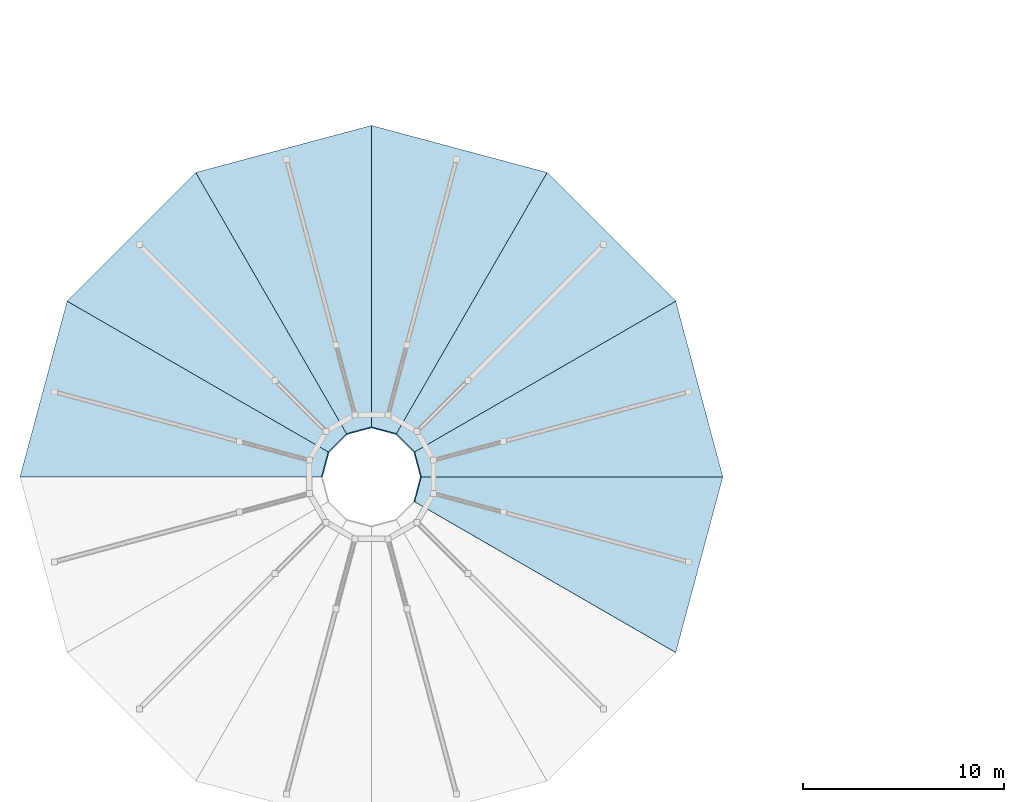
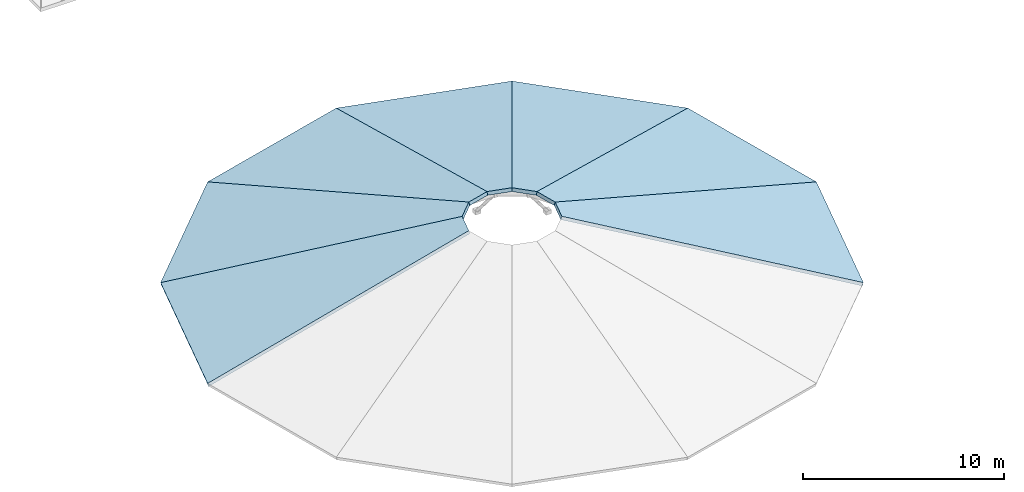
# One storey, part 81 of 89: 7 roofs.
"""IFC4 building model written with IfcOpenShell, lengths in metres."""

from ifc_helpers import new_model, si_unit, direction, frame, origin, place, context, subcontext, project, spatial, polyline, outline, extrude, material, layer, layer_set, type_object, element, save


model = new_model("IFC4")

# Units and contexts
model_context = context("Model", 3, precision=1e-05, world=origin(), true_north=direction((0.0, 1.0)))
body_context = subcontext(model_context, "Body", "Model", "MODEL_VIEW")
ifc_project = project(units=[si_unit("LENGTHUNIT", "METRE"), si_unit("AREAUNIT", "SQUARE_METRE"), si_unit("VOLUMEUNIT", "CUBIC_METRE"), si_unit("PLANEANGLEUNIT", "RADIAN"), si_unit("MASSUNIT", "GRAM", prefix="KILO")], contexts=[model_context])

# Site, building, storey
site_placement = place(None, origin())
site = spatial("IfcSite", under=ifc_project, at=site_placement, CompositionType="ELEMENT")
building_placement = place(site_placement, origin())
building = spatial("IfcBuilding", under=site, at=building_placement, Name="Malvenik Polytechnic", CompositionType="ELEMENT")
storey_placement = place(building_placement, frame((0.0, 0.0, 13.5)))
storey = spatial("IfcBuildingStorey", under=building, at=storey_placement, Name="L03", CompositionType="ELEMENT", Elevation=13.5)

# Roofs
ifc_material = material(Name="Standing-seam zinc conical insulated roof deck", Category="metal")
ifc_layer = layer(ifc_material, 0.199951171875)
ifc_layer_set = layer_set([ifc_layer], Name="Standing-seam zinc conical insulated roof deck")
roof_type = type_object("IfcRoofType", Name="ARC-RF-PAVILION", PredefinedType="PAVILION_ROOF", material=ifc_layer_set)
roof_1_placement = place(storey_placement, frame((34.300048828125, 18.0, 0.02001953125), z_axis=(0.258597698152, 0.069293416625, 0.963496576498), x_axis=(-0.258835999919, 0.965921283097, 2.499107e-06)))
element("IfcRoof", 1, at=roof_1_placement, inside=storey, type_object=roof_type, Name="Rotunda Conical Zinc Pavilion Roof Sector 1", PredefinedType="PAVILION_ROOF", context=body_context, shape_type="SweptSolid", body=[
    extrude(outline(polyline([(0.0, 0.0), (9.058710871439764, 0.0), (5.172517751972779, 15.053065022662087), (3.8865311903792854, 15.053161587899492), (0.0, 0.0)])), origin(), (0.0, 0.0, -1.0), 0.199951171875),
])
roof_2_placement = place(storey_placement, frame((31.955322265625, 26.75, 0.02001953125), z_axis=(0.18930911606, 0.189302797964, 0.963497020888), x_axis=(-0.707093425538, 0.707120136583, -6.11306e-07)))
element("IfcRoof", 2, at=roof_2_placement, inside=storey, type_object=roof_type, Name="Rotunda Conical Zinc Pavilion Roof Sector 2", PredefinedType="PAVILION_ROOF", context=body_context, shape_type="SweptSolid", body=[
    extrude(outline(polyline([(0.0, 0.0), (9.058597201155287, 0.0), (5.172168269631967, 15.05321504143907), (3.8857034911990387, 15.05319141967204), (0.0, 0.0)])), origin(), (0.0, 0.0, -1.0), 0.199951171875),
])
roof_3_placement = place(storey_placement, frame((25.550048828125, 33.155517578125, 0.02001953125), z_axis=(0.06928699859, 0.258597326125, 0.963497137903), x_axis=(-0.965927960924, 0.258811078398, -1.664332e-06)))
element("IfcRoof", 3, at=roof_3_placement, inside=storey, type_object=roof_type, Name="Rotunda Conical Zinc Pavilion Roof Sector 3", PredefinedType="PAVILION_ROOF", context=body_context, shape_type="SweptSolid", body=[
    extrude(outline(polyline([(0.0, 0.0), (9.05864768197969, 4.440892098500626e-16), (5.17249406190372, 15.053259066616818), (3.8865074981732146, 15.05319475692853), (0.0, 0.0)])), origin(), (0.0, 0.0, -1.0), 0.199951171875),
])
roof_4_placement = place(storey_placement, frame((16.800048828125, 35.5, 0.02001953125), z_axis=(-0.069285559224, 0.258598272248, 0.963496987475), x_axis=(-0.965928074221, -0.25881065554, 3.239833e-06)))
element("IfcRoof", 4, at=roof_4_placement, inside=storey, type_object=roof_type, Name="Rotunda Conical Zinc Pavilion Roof Sector 4", PredefinedType="PAVILION_ROOF", context=body_context, shape_type="SweptSolid", body=[
    extrude(outline(polyline([(0.0, 0.0), (9.058647681941991, 0.0), (5.172376006054865, 15.053133877017906), (3.886153620016746, 15.053259066609424), (0.0, 0.0)])), origin(), (0.0, 0.0, -1.0), 0.199951171875),
])
roof_5_placement = place(storey_placement, frame((8.050048828125, 33.155517578125, 0.02001953125), z_axis=(-0.18930911606, 0.189302797964, 0.963497020888), x_axis=(-0.707105935442, -0.707107626917, -4.304489e-06)))
element("IfcRoof", 5, at=roof_5_placement, inside=storey, type_object=roof_type, Name="Rotunda Conical Zinc Pavilion Roof Sector 5", PredefinedType="PAVILION_ROOF", context=body_context, shape_type="SweptSolid", body=[
    extrude(outline(polyline([(0.0, 0.0), (9.058769832913233, 8.881784197001252e-16), (5.1726173058847555, 15.053286400605497), (3.886325160519979, 15.05312006875073), (0.0, 0.0)])), origin(), (0.0, 0.0, -1.0), 0.199951171875),
])
roof_6_placement = place(storey_placement, frame((1.64453125, 26.75, 0.02001953125), z_axis=(-0.258597698152, 0.069293416625, 0.963496576498), x_axis=(-0.25881265664, -0.965927538041, 4.21596e-06)))
element("IfcRoof", 6, at=roof_6_placement, inside=storey, type_object=roof_type, Name="Rotunda Conical Zinc Pavilion Roof Sector 6", PredefinedType="PAVILION_ROOF", context=body_context, shape_type="SweptSolid", body=[
    extrude(outline(polyline([(0.0, 0.0), (9.058647681906484, -4.440892098500626e-16), (5.172557248353016, 15.053031852656739), (3.88650749805821, 15.05319475691417), (0.0, 0.0)])), origin(), (0.0, 0.0, -1.0), 0.199951171875),
])
roof_7_placement = place(storey_placement, frame((31.955322265625, 9.25, 0.02001953125), z_axis=(0.258597698152, -0.069293416625, 0.963496576498), x_axis=(0.258835999919, 0.965921283097, -2.499107e-06)))
element("IfcRoof", 7, at=roof_7_placement, inside=storey, type_object=roof_type, Name="Rotunda Conical Zinc Pavilion Roof Sector 12", PredefinedType="PAVILION_ROOF", context=body_context, shape_type="SweptSolid", body=[
    extrude(outline(polyline([(0.0, 0.0), (9.058710871439764, 0.0), (5.172179681060479, 15.053161587899492), (3.886193119466985, 15.05306502266209), (0.0, 0.0)])), origin(), (0.0, 0.0, -1.0), 0.199951171875),
])

save(model, "model.ifc")
